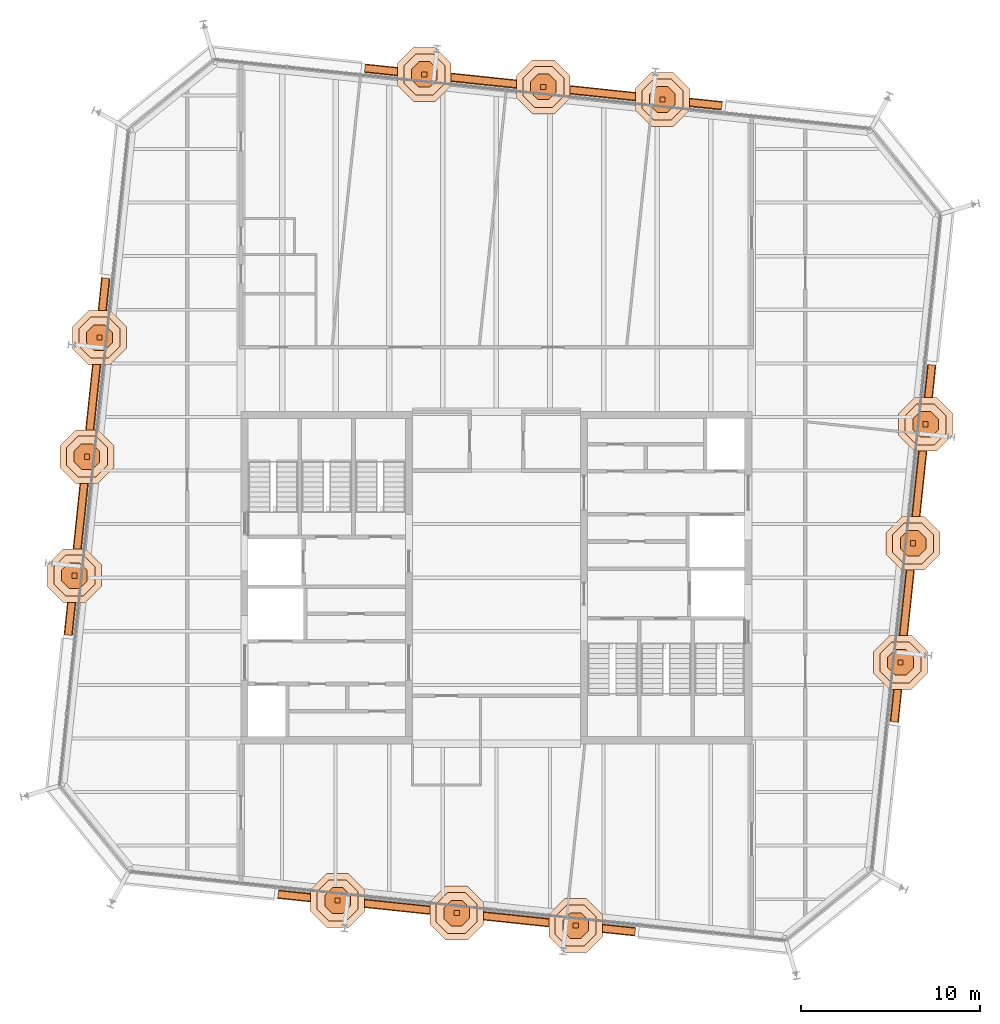
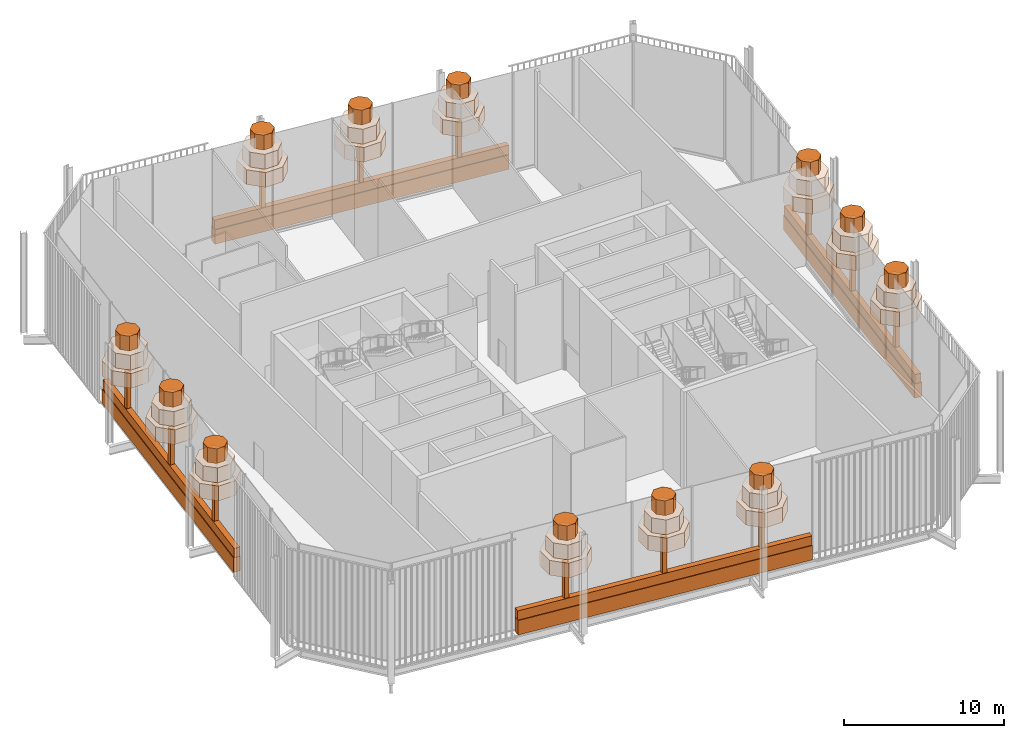
# One storey, part 17 of 17: 56 geographic elements.
"""IFC4 building model written with IfcOpenShell, lengths in metres."""

from ifc_helpers import new_model, si_unit, direction, frame, origin, origin_2d, place, context, subcontext, project, spatial, polyline, rectangle, outline, extrude, material, layer, layer_set, type_object, element, save


model = new_model("IFC4")

# Units and contexts
model_context = context("Model", 3, precision=1e-05, world=origin(), true_north=direction((0.0, 1.0)))
body_context = subcontext(model_context, "Body", "Model", "MODEL_VIEW")
ifc_project = project(units=[si_unit("LENGTHUNIT", "METRE"), si_unit("AREAUNIT", "SQUARE_METRE"), si_unit("VOLUMEUNIT", "CUBIC_METRE"), si_unit("PLANEANGLEUNIT", "RADIAN"), si_unit("MASSUNIT", "GRAM", prefix="KILO")], contexts=[model_context])

# Site, building, storey
site_placement = place(None, origin())
site = spatial("IfcSite", under=ifc_project, at=site_placement, CompositionType="ELEMENT")
building_placement = place(site_placement, origin())
building = spatial("IfcBuilding", under=site, at=building_placement, Name="Millrace Tower", CompositionType="ELEMENT")
storey_placement = place(building_placement, frame((0.0, 0.0, 311.10009765625)))
storey = spatial("IfcBuildingStorey", under=building, at=storey_placement, Name="L72", CompositionType="ELEMENT", Elevation=311.10009765625)

# Geographic elements
ifc_material_1 = material(Name="Concrete C40", Category="concrete")
ifc_layer = layer(ifc_material_1, 0.5)
ifc_layer_set = layer_set([ifc_layer], Name="Concrete C40")
geographic_element_type_1 = type_object("IfcGeographicElementType", Name="PLANTER sky garden bed 1100 high x 500 thick", PredefinedType="USERDEFINED", material=ifc_layer_set)
for number, where, z_axis, x_axis, name in (
    (1, (-2.230224609375, -18.772705078125, 0.14990234375), (0.0, 0.0, 1.0), (0.994521896217, -0.104528455196, 0.0), "Planter sky garden E-F02 L72"),
    (2, (23.32275390625, 1.919677734375, 0.14990234375), (0.0, 0.0, 1.0), (0.104528455196, 0.994521896217, 0.0), "Planter sky garden E-F04 L72"),
    (3, (2.63037109375, 27.47265625, 0.14990234375), (0.0, 0.0, 1.0), (-0.994521896217, 0.104528455196, 0.0), "Planter sky garden E-F06 L72"),
    (4, (-22.922607421875, 6.7802734375, 0.14990234375), (0.0, 0.0, 1.0), (-0.104528455196, -0.994521896217, 0.0), "Planter sky garden E-F08 L72"),
):
    element("IfcGeographicElement", number, at=place(storey_placement, frame(where, z_axis=z_axis, x_axis=x_axis)), inside=storey, type_object=geographic_element_type_1, Name=name, ObjectType="PLANTER", PredefinedType="USERDEFINED", context=body_context, shape_type="SweptSolid", body=[
        extrude(rectangle(XDim=20.10009765625, YDim=0.5, at=origin_2d()), origin(), (0.0, 0.0, 1.0), 1.10009765625),
    ])
ifc_material_2 = material(Name="Planting shrub bed")
geographic_element_type_2 = type_object("IfcGeographicElementType", Name="Shrub bed", PredefinedType="USERDEFINED", material=ifc_material_2)
for number, where, z_axis, x_axis, name in (
    (5, (-2.230224609375, -18.772705078125, 1.25), (0.0, 0.0, 1.0), (0.994521896217, -0.104528455196, 0.0), "Shrub bed E-F02-L72-820"),
    (6, (23.32275390625, 1.919677734375, 1.25), (0.0, 0.0, 1.0), (0.104528455196, 0.994521896217, 0.0), "Shrub bed E-F04-L72-820"),
    (7, (2.63037109375, 27.47265625, 1.25), (0.0, 0.0, 1.0), (-0.994521896217, 0.104528455196, 0.0), "Shrub bed E-F06-L72-820"),
    (8, (-22.922607421875, 6.7802734375, 1.25), (0.0, 0.0, 1.0), (-0.104528455196, -0.994521896217, 0.0), "Shrub bed E-F08-L72-820"),
):
    element("IfcGeographicElement", number, at=place(storey_placement, frame(where, z_axis=z_axis, x_axis=x_axis)), inside=storey, type_object=geographic_element_type_2, Name=name, ObjectType="SHRUB", PredefinedType="USERDEFINED", context=body_context, shape_type="SweptSolid", body=[
        extrude(rectangle(XDim=20.10009765625, YDim=0.39990234375, at=origin_2d()), origin(), (0.0, 0.0, 1.0), 0.699951171875),
    ])
ifc_material_3 = material(Name="Planting tree crown")
geographic_element_type_3 = type_object("IfcGeographicElementType", Name="Tree crown", PredefinedType="USERDEFINED", material=ifc_material_3)
placement_1 = place(storey_placement, frame((0.0, 0.0, 4.5)))
element("IfcGeographicElement", 9, at=placement_1, inside=storey, type_object=geographic_element_type_3, Name="Tree crown E-F02-L72-820-0 tier 1", ObjectType="TREE", PredefinedType="USERDEFINED", context=body_context, shape_type="SweptSolid", body=[
    extrude(outline(polyline([(-7.392333984375, -17.450439453125), (-8.271728515625, -16.571044921875), (-9.515380859375, -16.571044921875), (-10.39501953125, -17.450439453125), (-10.39501953125, -18.694091796875), (-9.515380859375, -19.573486328125), (-8.271728515625, -19.573486328125), (-7.392333984375, -18.694091796875), (-7.392333984375, -17.450439453125)])), origin(), (0.0, 0.0, 1.0), 1.125),
])
placement_2 = place(storey_placement, frame((0.0, 0.0, 5.625)))
element("IfcGeographicElement", 10, at=placement_2, inside=storey, type_object=geographic_element_type_3, Name="Tree crown E-F02-L72-820-0 tier 2", ObjectType="TREE", PredefinedType="USERDEFINED", context=body_context, shape_type="SweptSolid", body=[
    extrude(outline(polyline([(-7.73876953125, -17.593994140625), (-8.415283203125, -16.91748046875), (-9.371826171875, -16.91748046875), (-10.04833984375, -17.593994140625), (-10.04833984375, -18.550537109375), (-9.371826171875, -19.22705078125), (-8.415283203125, -19.22705078125), (-7.73876953125, -18.550537109375), (-7.73876953125, -17.593994140625)])), origin(), (0.0, 0.0, 1.0), 1.125),
])
placement_3 = place(storey_placement, frame((0.0, 0.0, 6.75)))
element("IfcGeographicElement", 11, at=placement_3, inside=storey, type_object=geographic_element_type_3, Name="Tree crown E-F02-L72-820-0 tier 3", ObjectType="TREE", PredefinedType="USERDEFINED", context=body_context, shape_type="SweptSolid", body=[
    extrude(outline(polyline([(-8.177490234375, -17.775634765625), (-8.596923828125, -17.356201171875), (-9.190185546875, -17.356201171875), (-9.609619140625, -17.775634765625), (-9.609619140625, -18.368896484375), (-9.190185546875, -18.788330078125), (-8.596923828125, -18.788330078125), (-8.177490234375, -18.368896484375), (-8.177490234375, -17.775634765625)])), origin(), (0.0, 0.0, 1.0), 1.125),
])
element("IfcGeographicElement", 12, at=placement_1, inside=storey, type_object=geographic_element_type_3, Name="Tree crown E-F02-L72-820-1 tier 1", ObjectType="TREE", PredefinedType="USERDEFINED", context=body_context, shape_type="SweptSolid", body=[
    extrude(outline(polyline([(-0.72900390625, -18.15087890625), (-1.6083984375, -17.271240234375), (-2.85205078125, -17.271240234375), (-3.731689453125, -18.15087890625), (-3.731689453125, -19.39453125), (-2.85205078125, -20.27392578125), (-1.6083984375, -20.27392578125), (-0.72900390625, -19.39453125), (-0.72900390625, -18.15087890625)])), origin(), (0.0, 0.0, 1.0), 1.125),
])
element("IfcGeographicElement", 13, at=placement_2, inside=storey, type_object=geographic_element_type_3, Name="Tree crown E-F02-L72-820-1 tier 2", ObjectType="TREE", PredefinedType="USERDEFINED", context=body_context, shape_type="SweptSolid", body=[
    extrude(outline(polyline([(-1.075439453125, -18.294189453125), (-1.751953125, -17.617919921875), (-2.70849609375, -17.617919921875), (-3.385009765625, -18.294189453125), (-3.385009765625, -19.2509765625), (-2.70849609375, -19.927490234375), (-1.751953125, -19.927490234375), (-1.075439453125, -19.2509765625), (-1.075439453125, -18.294189453125)])), origin(), (0.0, 0.0, 1.0), 1.125),
])
element("IfcGeographicElement", 14, at=placement_3, inside=storey, type_object=geographic_element_type_3, Name="Tree crown E-F02-L72-820-1 tier 3", ObjectType="TREE", PredefinedType="USERDEFINED", context=body_context, shape_type="SweptSolid", body=[
    extrude(outline(polyline([(-1.514404296875, -18.47607421875), (-1.93359375, -18.056640625), (-2.52685546875, -18.056640625), (-2.9462890625, -18.47607421875), (-2.9462890625, -19.069091796875), (-2.52685546875, -19.488525390625), (-1.93359375, -19.488525390625), (-1.514404296875, -19.069091796875), (-1.514404296875, -18.47607421875)])), origin(), (0.0, 0.0, 1.0), 1.125),
])
element("IfcGeographicElement", 15, at=placement_1, inside=storey, type_object=geographic_element_type_3, Name="Tree crown E-F02-L72-820-2 tier 1", ObjectType="TREE", PredefinedType="USERDEFINED", context=body_context, shape_type="SweptSolid", body=[
    extrude(outline(polyline([(5.934326171875, -18.85107421875), (5.054931640625, -17.9716796875), (3.81103515625, -17.9716796875), (2.931640625, -18.85107421875), (2.931640625, -20.0947265625), (3.81103515625, -20.974365234375), (5.054931640625, -20.974365234375), (5.934326171875, -20.0947265625), (5.934326171875, -18.85107421875)])), origin(), (0.0, 0.0, 1.0), 1.125),
])
element("IfcGeographicElement", 16, at=placement_2, inside=storey, type_object=geographic_element_type_3, Name="Tree crown E-F02-L72-820-2 tier 2", ObjectType="TREE", PredefinedType="USERDEFINED", context=body_context, shape_type="SweptSolid", body=[
    extrude(outline(polyline([(5.587890625, -18.99462890625), (4.911376953125, -18.318115234375), (3.95458984375, -18.318115234375), (3.2783203125, -18.99462890625), (3.2783203125, -19.951416015625), (3.95458984375, -20.627685546875), (4.911376953125, -20.627685546875), (5.587890625, -19.951416015625), (5.587890625, -18.99462890625)])), origin(), (0.0, 0.0, 1.0), 1.125),
])
element("IfcGeographicElement", 17, at=placement_3, inside=storey, type_object=geographic_element_type_3, Name="Tree crown E-F02-L72-820-2 tier 3", ObjectType="TREE", PredefinedType="USERDEFINED", context=body_context, shape_type="SweptSolid", body=[
    extrude(outline(polyline([(5.14892578125, -19.176513671875), (4.7294921875, -18.757080078125), (4.136474609375, -18.757080078125), (3.717041015625, -19.176513671875), (3.717041015625, -19.76953125), (4.136474609375, -20.18896484375), (4.7294921875, -20.18896484375), (5.14892578125, -19.76953125), (5.14892578125, -19.176513671875)])), origin(), (0.0, 0.0, 1.0), 1.125),
])
element("IfcGeographicElement", 18, at=placement_1, inside=storey, type_object=geographic_element_type_3, Name="Tree crown E-F04-L72-820-0 tier 1", ObjectType="TREE", PredefinedType="USERDEFINED", context=body_context, shape_type="SweptSolid", body=[
    extrude(outline(polyline([(24.12353515625, -4.12158203125), (23.244140625, -3.2421875), (22.00048828125, -3.2421875), (21.12109375, -4.12158203125), (21.12109375, -5.365478515625), (22.00048828125, -6.244873046875), (23.244140625, -6.244873046875), (24.12353515625, -5.365478515625), (24.12353515625, -4.12158203125)])), origin(), (0.0, 0.0, 1.0), 1.125),
])
element("IfcGeographicElement", 19, at=placement_2, inside=storey, type_object=geographic_element_type_3, Name="Tree crown E-F04-L72-820-0 tier 2", ObjectType="TREE", PredefinedType="USERDEFINED", context=body_context, shape_type="SweptSolid", body=[
    extrude(outline(polyline([(23.777099609375, -4.26513671875), (23.1005859375, -3.588623046875), (22.143798828125, -3.588623046875), (21.46728515625, -4.26513671875), (21.46728515625, -5.221923828125), (22.143798828125, -5.8984375), (23.1005859375, -5.8984375), (23.777099609375, -5.221923828125), (23.777099609375, -4.26513671875)])), origin(), (0.0, 0.0, 1.0), 1.125),
])
element("IfcGeographicElement", 20, at=placement_3, inside=storey, type_object=geographic_element_type_3, Name="Tree crown E-F04-L72-820-0 tier 3", ObjectType="TREE", PredefinedType="USERDEFINED", context=body_context, shape_type="SweptSolid", body=[
    extrude(outline(polyline([(23.33837890625, -4.447021484375), (22.9189453125, -4.027587890625), (22.32568359375, -4.027587890625), (21.90625, -4.447021484375), (21.90625, -5.040283203125), (22.32568359375, -5.459716796875), (22.9189453125, -5.459716796875), (23.33837890625, -5.040283203125), (23.33837890625, -4.447021484375)])), origin(), (0.0, 0.0, 1.0), 1.125),
])
element("IfcGeographicElement", 21, at=placement_1, inside=storey, type_object=geographic_element_type_3, Name="Tree crown E-F04-L72-820-1 tier 1", ObjectType="TREE", PredefinedType="USERDEFINED", context=body_context, shape_type="SweptSolid", body=[
    extrude(outline(polyline([(24.823974609375, 2.54150390625), (23.944580078125, 3.4208984375), (22.70068359375, 3.4208984375), (21.8212890625, 2.54150390625), (21.8212890625, 1.2978515625), (22.70068359375, 0.41845703125), (23.944580078125, 0.41845703125), (24.823974609375, 1.2978515625), (24.823974609375, 2.54150390625)])), origin(), (0.0, 0.0, 1.0), 1.125),
])
element("IfcGeographicElement", 22, at=placement_2, inside=storey, type_object=geographic_element_type_3, Name="Tree crown E-F04-L72-820-1 tier 2", ObjectType="TREE", PredefinedType="USERDEFINED", context=body_context, shape_type="SweptSolid", body=[
    extrude(outline(polyline([(24.4775390625, 2.398193359375), (23.801025390625, 3.07470703125), (22.84423828125, 3.07470703125), (22.167724609375, 2.398193359375), (22.167724609375, 1.44140625), (22.84423828125, 0.764892578125), (23.801025390625, 0.764892578125), (24.4775390625, 1.44140625), (24.4775390625, 2.398193359375)])), origin(), (0.0, 0.0, 1.0), 1.125),
])
element("IfcGeographicElement", 23, at=placement_3, inside=storey, type_object=geographic_element_type_3, Name="Tree crown E-F04-L72-820-1 tier 3", ObjectType="TREE", PredefinedType="USERDEFINED", context=body_context, shape_type="SweptSolid", body=[
    extrude(outline(polyline([(24.03857421875, 2.21630859375), (23.619140625, 2.6357421875), (23.026123046875, 2.6357421875), (22.606689453125, 2.21630859375), (22.606689453125, 1.623046875), (23.026123046875, 1.20361328125), (23.619140625, 1.20361328125), (24.03857421875, 1.623046875), (24.03857421875, 2.21630859375)])), origin(), (0.0, 0.0, 1.0), 1.125),
])
element("IfcGeographicElement", 24, at=placement_1, inside=storey, type_object=geographic_element_type_3, Name="Tree crown E-F04-L72-820-2 tier 1", ObjectType="TREE", PredefinedType="USERDEFINED", context=body_context, shape_type="SweptSolid", body=[
    extrude(outline(polyline([(25.5244140625, 9.204833984375), (24.644775390625, 10.084228515625), (23.401123046875, 10.084228515625), (22.521728515625, 9.204833984375), (22.521728515625, 7.961181640625), (23.401123046875, 7.081787109375), (24.644775390625, 7.081787109375), (25.5244140625, 7.961181640625), (25.5244140625, 9.204833984375)])), origin(), (0.0, 0.0, 1.0), 1.125),
])
element("IfcGeographicElement", 25, at=placement_2, inside=storey, type_object=geographic_element_type_3, Name="Tree crown E-F04-L72-820-2 tier 2", ObjectType="TREE", PredefinedType="USERDEFINED", context=body_context, shape_type="SweptSolid", body=[
    extrude(outline(polyline([(25.177734375, 9.061279296875), (24.501220703125, 9.73779296875), (23.544677734375, 9.73779296875), (22.8681640625, 9.061279296875), (22.8681640625, 8.104736328125), (23.544677734375, 7.42822265625), (24.501220703125, 7.42822265625), (25.177734375, 8.104736328125), (25.177734375, 9.061279296875)])), origin(), (0.0, 0.0, 1.0), 1.125),
])
element("IfcGeographicElement", 26, at=placement_3, inside=storey, type_object=geographic_element_type_3, Name="Tree crown E-F04-L72-820-2 tier 3", ObjectType="TREE", PredefinedType="USERDEFINED", context=body_context, shape_type="SweptSolid", body=[
    extrude(outline(polyline([(24.739013671875, 8.879638671875), (24.319580078125, 9.299072265625), (23.726318359375, 9.299072265625), (23.306884765625, 8.879638671875), (23.306884765625, 8.286376953125), (23.726318359375, 7.866943359375), (24.319580078125, 7.866943359375), (24.739013671875, 8.286376953125), (24.739013671875, 8.879638671875)])), origin(), (0.0, 0.0, 1.0), 1.125),
])
element("IfcGeographicElement", 27, at=placement_1, inside=storey, type_object=geographic_element_type_3, Name="Tree crown E-F06-L72-820-0 tier 1", ObjectType="TREE", PredefinedType="USERDEFINED", context=body_context, shape_type="SweptSolid", body=[
    extrude(outline(polyline([(10.794921875, 27.394287109375), (9.915283203125, 28.273681640625), (8.671630859375, 28.273681640625), (7.792236328125, 27.394287109375), (7.792236328125, 26.150390625), (8.671630859375, 25.27099609375), (9.915283203125, 25.27099609375), (10.794921875, 26.150390625), (10.794921875, 27.394287109375)])), origin(), (0.0, 0.0, 1.0), 1.125),
])
element("IfcGeographicElement", 28, at=placement_2, inside=storey, type_object=geographic_element_type_3, Name="Tree crown E-F06-L72-820-0 tier 2", ObjectType="TREE", PredefinedType="USERDEFINED", context=body_context, shape_type="SweptSolid", body=[
    extrude(outline(polyline([(10.448486328125, 27.25048828125), (9.77197265625, 27.927001953125), (8.815185546875, 27.927001953125), (8.138671875, 27.25048828125), (8.138671875, 26.2939453125), (8.815185546875, 25.617431640625), (9.77197265625, 25.617431640625), (10.448486328125, 26.2939453125), (10.448486328125, 27.25048828125)])), origin(), (0.0, 0.0, 1.0), 1.125),
])
element("IfcGeographicElement", 29, at=placement_3, inside=storey, type_object=geographic_element_type_3, Name="Tree crown E-F06-L72-820-0 tier 3", ObjectType="TREE", PredefinedType="USERDEFINED", context=body_context, shape_type="SweptSolid", body=[
    extrude(outline(polyline([(10.009521484375, 27.06884765625), (9.590087890625, 27.48828125), (8.9970703125, 27.48828125), (8.57763671875, 27.06884765625), (8.57763671875, 26.4755859375), (8.9970703125, 26.056396484375), (9.590087890625, 26.056396484375), (10.009521484375, 26.4755859375), (10.009521484375, 27.06884765625)])), origin(), (0.0, 0.0, 1.0), 1.125),
])
element("IfcGeographicElement", 30, at=placement_1, inside=storey, type_object=geographic_element_type_3, Name="Tree crown E-F06-L72-820-1 tier 1", ObjectType="TREE", PredefinedType="USERDEFINED", context=body_context, shape_type="SweptSolid", body=[
    extrude(outline(polyline([(4.131591796875, 28.094482421875), (3.252197265625, 28.973876953125), (2.00830078125, 28.973876953125), (1.12890625, 28.094482421875), (1.12890625, 26.850830078125), (2.00830078125, 25.97119140625), (3.252197265625, 25.97119140625), (4.131591796875, 26.850830078125), (4.131591796875, 28.094482421875)])), origin(), (0.0, 0.0, 1.0), 1.125),
])
element("IfcGeographicElement", 31, at=placement_2, inside=storey, type_object=geographic_element_type_3, Name="Tree crown E-F06-L72-820-1 tier 2", ObjectType="TREE", PredefinedType="USERDEFINED", context=body_context, shape_type="SweptSolid", body=[
    extrude(outline(polyline([(3.78515625, 27.950927734375), (3.108642578125, 28.62744140625), (2.15185546875, 28.62744140625), (1.475341796875, 27.950927734375), (1.475341796875, 26.994384765625), (2.15185546875, 26.31787109375), (3.108642578125, 26.31787109375), (3.78515625, 26.994384765625), (3.78515625, 27.950927734375)])), origin(), (0.0, 0.0, 1.0), 1.125),
])
element("IfcGeographicElement", 32, at=placement_3, inside=storey, type_object=geographic_element_type_3, Name="Tree crown E-F06-L72-820-1 tier 3", ObjectType="TREE", PredefinedType="USERDEFINED", context=body_context, shape_type="SweptSolid", body=[
    extrude(outline(polyline([(3.34619140625, 27.769287109375), (2.927001953125, 28.188720703125), (2.333740234375, 28.188720703125), (1.914306640625, 27.769287109375), (1.914306640625, 27.176025390625), (2.333740234375, 26.756591796875), (2.927001953125, 26.756591796875), (3.34619140625, 27.176025390625), (3.34619140625, 27.769287109375)])), origin(), (0.0, 0.0, 1.0), 1.125),
])
element("IfcGeographicElement", 33, at=placement_1, inside=storey, type_object=geographic_element_type_3, Name="Tree crown E-F06-L72-820-2 tier 1", ObjectType="TREE", PredefinedType="USERDEFINED", context=body_context, shape_type="SweptSolid", body=[
    extrude(outline(polyline([(-2.53173828125, 28.794921875), (-3.4111328125, 29.67431640625), (-4.65478515625, 29.67431640625), (-5.5341796875, 28.794921875), (-5.5341796875, 27.551025390625), (-4.65478515625, 26.671630859375), (-3.4111328125, 26.671630859375), (-2.53173828125, 27.551025390625), (-2.53173828125, 28.794921875)])), origin(), (0.0, 0.0, 1.0), 1.125),
])
element("IfcGeographicElement", 34, at=placement_2, inside=storey, type_object=geographic_element_type_3, Name="Tree crown E-F06-L72-820-2 tier 2", ObjectType="TREE", PredefinedType="USERDEFINED", context=body_context, shape_type="SweptSolid", body=[
    extrude(outline(polyline([(-2.878173828125, 28.6513671875), (-3.5546875, 29.327880859375), (-4.511474609375, 29.327880859375), (-5.18798828125, 28.6513671875), (-5.18798828125, 27.694580078125), (-4.511474609375, 27.01806640625), (-3.5546875, 27.01806640625), (-2.878173828125, 27.694580078125), (-2.878173828125, 28.6513671875)])), origin(), (0.0, 0.0, 1.0), 1.125),
])
element("IfcGeographicElement", 35, at=placement_3, inside=storey, type_object=geographic_element_type_3, Name="Tree crown E-F06-L72-820-2 tier 3", ObjectType="TREE", PredefinedType="USERDEFINED", context=body_context, shape_type="SweptSolid", body=[
    extrude(outline(polyline([(-3.31689453125, 28.469482421875), (-3.736328125, 28.888916015625), (-4.32958984375, 28.888916015625), (-4.7490234375, 28.469482421875), (-4.7490234375, 27.87646484375), (-4.32958984375, 27.45703125), (-3.736328125, 27.45703125), (-3.31689453125, 27.87646484375), (-3.31689453125, 28.469482421875)])), origin(), (0.0, 0.0, 1.0), 1.125),
])
element("IfcGeographicElement", 36, at=placement_1, inside=storey, type_object=geographic_element_type_3, Name="Tree crown E-F08-L72-820-0 tier 1", ObjectType="TREE", PredefinedType="USERDEFINED", context=body_context, shape_type="SweptSolid", body=[
    extrude(outline(polyline([(-20.720947265625, 14.0654296875), (-21.600341796875, 14.94482421875), (-22.84423828125, 14.94482421875), (-23.7236328125, 14.0654296875), (-23.7236328125, 12.82177734375), (-22.84423828125, 11.9423828125), (-21.600341796875, 11.9423828125), (-20.720947265625, 12.82177734375), (-20.720947265625, 14.0654296875)])), origin(), (0.0, 0.0, 1.0), 1.125),
])
element("IfcGeographicElement", 37, at=placement_2, inside=storey, type_object=geographic_element_type_3, Name="Tree crown E-F08-L72-820-0 tier 2", ObjectType="TREE", PredefinedType="USERDEFINED", context=body_context, shape_type="SweptSolid", body=[
    extrude(outline(polyline([(-21.0673828125, 13.921875), (-21.743896484375, 14.598388671875), (-22.70068359375, 14.598388671875), (-23.377197265625, 13.921875), (-23.377197265625, 12.965087890625), (-22.70068359375, 12.288818359375), (-21.743896484375, 12.288818359375), (-21.0673828125, 12.965087890625), (-21.0673828125, 13.921875)])), origin(), (0.0, 0.0, 1.0), 1.125),
])
element("IfcGeographicElement", 38, at=placement_3, inside=storey, type_object=geographic_element_type_3, Name="Tree crown E-F08-L72-820-0 tier 3", ObjectType="TREE", PredefinedType="USERDEFINED", context=body_context, shape_type="SweptSolid", body=[
    extrude(outline(polyline([(-21.50634765625, 13.740234375), (-21.92578125, 14.15966796875), (-22.518798828125, 14.15966796875), (-22.938232421875, 13.740234375), (-22.938232421875, 13.14697265625), (-22.518798828125, 12.7275390625), (-21.92578125, 12.7275390625), (-21.50634765625, 13.14697265625), (-21.50634765625, 13.740234375)])), origin(), (0.0, 0.0, 1.0), 1.125),
])
element("IfcGeographicElement", 39, at=placement_1, inside=storey, type_object=geographic_element_type_3, Name="Tree crown E-F08-L72-820-1 tier 1", ObjectType="TREE", PredefinedType="USERDEFINED", context=body_context, shape_type="SweptSolid", body=[
    extrude(outline(polyline([(-21.42138671875, 7.402099609375), (-22.30078125, 8.281494140625), (-23.54443359375, 8.281494140625), (-24.423828125, 7.402099609375), (-24.423828125, 6.158447265625), (-23.54443359375, 5.279052734375), (-22.30078125, 5.279052734375), (-21.42138671875, 6.158447265625), (-21.42138671875, 7.402099609375)])), origin(), (0.0, 0.0, 1.0), 1.125),
])
element("IfcGeographicElement", 40, at=placement_2, inside=storey, type_object=geographic_element_type_3, Name="Tree crown E-F08-L72-820-1 tier 2", ObjectType="TREE", PredefinedType="USERDEFINED", context=body_context, shape_type="SweptSolid", body=[
    extrude(outline(polyline([(-21.767822265625, 7.258544921875), (-22.4443359375, 7.93505859375), (-23.40087890625, 7.93505859375), (-24.077392578125, 7.258544921875), (-24.077392578125, 6.302001953125), (-23.40087890625, 5.62548828125), (-22.4443359375, 5.62548828125), (-21.767822265625, 6.302001953125), (-21.767822265625, 7.258544921875)])), origin(), (0.0, 0.0, 1.0), 1.125),
])
element("IfcGeographicElement", 41, at=placement_3, inside=storey, type_object=geographic_element_type_3, Name="Tree crown E-F08-L72-820-1 tier 3", ObjectType="TREE", PredefinedType="USERDEFINED", context=body_context, shape_type="SweptSolid", body=[
    extrude(outline(polyline([(-22.20654296875, 7.076904296875), (-22.626220703125, 7.496337890625), (-23.21923828125, 7.496337890625), (-23.638671875, 7.076904296875), (-23.638671875, 6.483642578125), (-23.21923828125, 6.064208984375), (-22.626220703125, 6.064208984375), (-22.20654296875, 6.483642578125), (-22.20654296875, 7.076904296875)])), origin(), (0.0, 0.0, 1.0), 1.125),
])
element("IfcGeographicElement", 42, at=placement_1, inside=storey, type_object=geographic_element_type_3, Name="Tree crown E-F08-L72-820-2 tier 1", ObjectType="TREE", PredefinedType="USERDEFINED", context=body_context, shape_type="SweptSolid", body=[
    extrude(outline(polyline([(-22.12158203125, 0.739013671875), (-23.001220703125, 1.618408203125), (-24.244873046875, 1.618408203125), (-25.124267578125, 0.739013671875), (-25.124267578125, -0.5048828125), (-24.244873046875, -1.38427734375), (-23.001220703125, -1.38427734375), (-22.12158203125, -0.5048828125), (-22.12158203125, 0.739013671875)])), origin(), (0.0, 0.0, 1.0), 1.125),
])
element("IfcGeographicElement", 43, at=placement_2, inside=storey, type_object=geographic_element_type_3, Name="Tree crown E-F08-L72-820-2 tier 2", ObjectType="TREE", PredefinedType="USERDEFINED", context=body_context, shape_type="SweptSolid", body=[
    extrude(outline(polyline([(-22.468017578125, 0.59521484375), (-23.14453125, 1.271728515625), (-24.101318359375, 1.271728515625), (-24.77783203125, 0.59521484375), (-24.77783203125, -0.361328125), (-24.101318359375, -1.037841796875), (-23.14453125, -1.037841796875), (-22.468017578125, -0.361328125), (-22.468017578125, 0.59521484375)])), origin(), (0.0, 0.0, 1.0), 1.125),
])
element("IfcGeographicElement", 44, at=placement_3, inside=storey, type_object=geographic_element_type_3, Name="Tree crown E-F08-L72-820-2 tier 3", ObjectType="TREE", PredefinedType="USERDEFINED", context=body_context, shape_type="SweptSolid", body=[
    extrude(outline(polyline([(-22.906982421875, 0.41357421875), (-23.326416015625, 0.8330078125), (-23.919677734375, 0.8330078125), (-24.339111328125, 0.41357421875), (-24.339111328125, -0.1796875), (-23.919677734375, -0.59912109375), (-23.326416015625, -0.59912109375), (-22.906982421875, -0.1796875), (-22.906982421875, 0.41357421875)])), origin(), (0.0, 0.0, 1.0), 1.125),
])
ifc_material_4 = material(Name="Timber trunk", Category="wood")
geographic_element_type_4 = type_object("IfcGeographicElementType", Name="Tree trunk", PredefinedType="USERDEFINED", material=ifc_material_4)
for number, where, z_axis, x_axis, name in (
    (45, (-8.8935546875, -18.072265625, 1.949951171875), (0.0, 0.0, 1.0), (1.0, 0.0, 0.0), "Tree trunk E-F02-L72-820-0"),
    (46, (-2.230224609375, -18.772705078125, 1.949951171875), (0.0, 0.0, 1.0), (1.0, 0.0, 0.0), "Tree trunk E-F02-L72-820-1"),
    (47, (4.43310546875, -19.472900390625, 1.949951171875), (0.0, 0.0, 1.0), (1.0, 0.0, 0.0), "Tree trunk E-F02-L72-820-2"),
    (48, (22.622314453125, -4.74365234375, 1.949951171875), (0.0, 0.0, 1.0), (1.0, 0.0, 0.0), "Tree trunk E-F04-L72-820-0"),
    (49, (23.32275390625, 1.919677734375, 1.949951171875), (0.0, 0.0, 1.0), (1.0, 0.0, 0.0), "Tree trunk E-F04-L72-820-1"),
    (50, (24.02294921875, 8.5830078125, 1.949951171875), (0.0, 0.0, 1.0), (1.0, 0.0, 0.0), "Tree trunk E-F04-L72-820-2"),
    (51, (9.293701171875, 26.772216796875, 1.949951171875), (0.0, 0.0, 1.0), (1.0, 0.0, 0.0), "Tree trunk E-F06-L72-820-0"),
    (52, (2.63037109375, 27.47265625, 1.949951171875), (0.0, 0.0, 1.0), (1.0, 0.0, 0.0), "Tree trunk E-F06-L72-820-1"),
    (53, (-4.032958984375, 28.173095703125, 1.949951171875), (0.0, 0.0, 1.0), (1.0, 0.0, 0.0), "Tree trunk E-F06-L72-820-2"),
    (54, (-22.222412109375, 13.443603515625, 1.949951171875), (0.0, 0.0, 1.0), (1.0, 0.0, 0.0), "Tree trunk E-F08-L72-820-0"),
    (55, (-22.922607421875, 6.7802734375, 1.949951171875), (0.0, 0.0, 1.0), (1.0, 0.0, 0.0), "Tree trunk E-F08-L72-820-1"),
    (56, (-23.623046875, 0.116943359375, 1.949951171875), (0.0, 0.0, 1.0), (1.0, 0.0, 0.0), "Tree trunk E-F08-L72-820-2"),
):
    element("IfcGeographicElement", number, at=place(storey_placement, frame(where, z_axis=z_axis, x_axis=x_axis)), inside=storey, type_object=geographic_element_type_4, Name=name, ObjectType="TREE", PredefinedType="USERDEFINED", context=body_context, shape_type="SweptSolid", body=[
        extrude(rectangle(XDim=0.300048828125, YDim=0.300048828125, at=origin_2d()), origin(), (0.0, 0.0, 1.0), 2.75),
    ])

save(model, "model.ifc")
